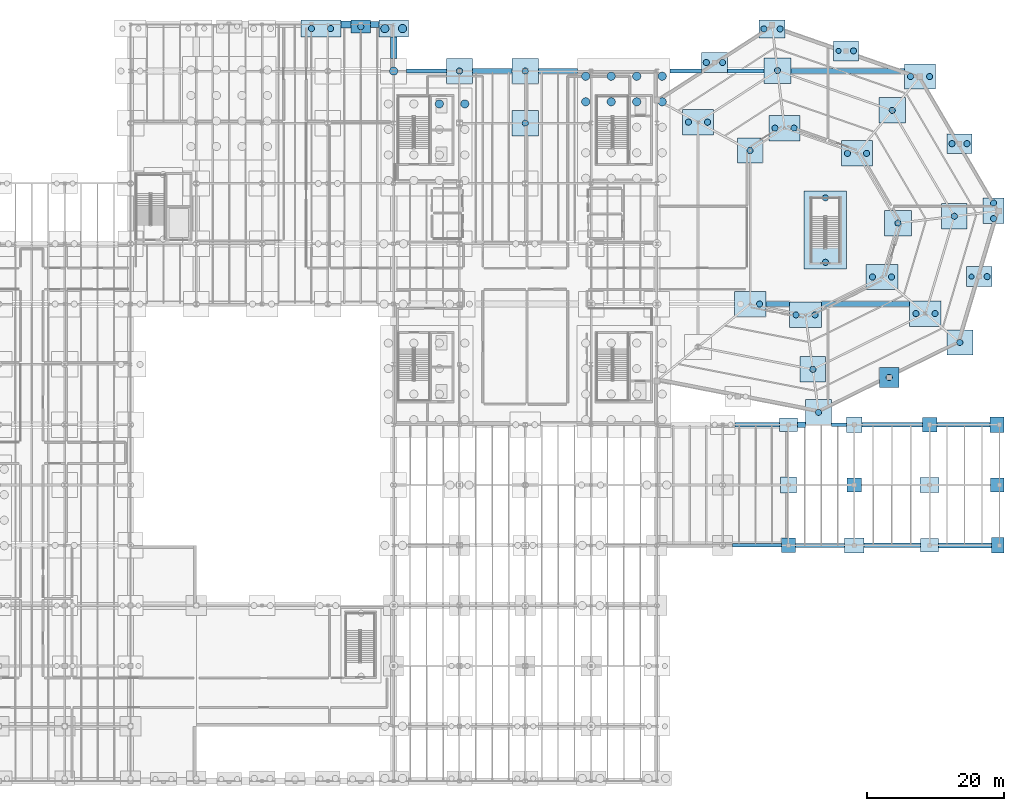
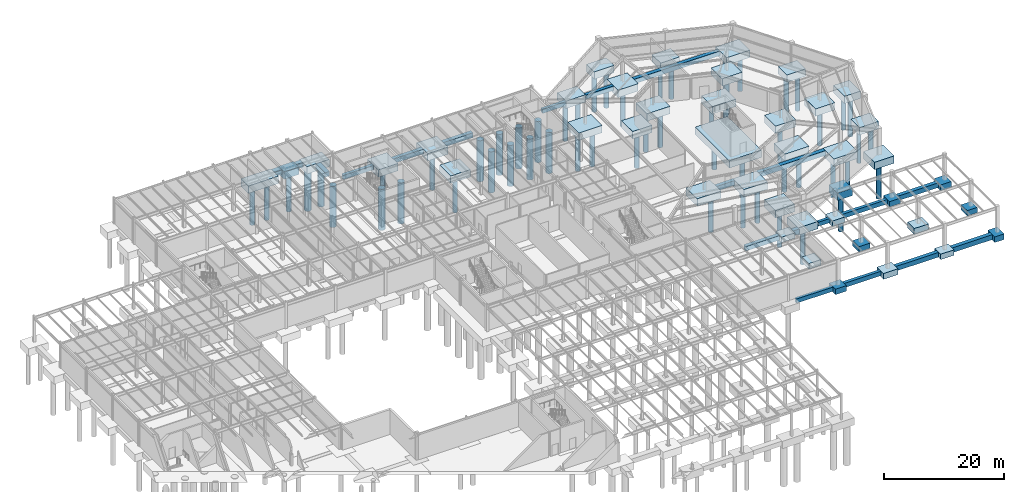
# One storey, part 5 of 48: 62 footings, 57 piles.
"""IFC4 building model written with IfcOpenShell, lengths in metres."""

from ifc_helpers import new_model, si_unit, direction, frame, origin, origin_2d, place, context, subcontext, project, spatial, rectangle, circle, extrude, material, material_profile, profile_set, type_object, element, save


model = new_model("IFC4")

# Units and contexts
model_context = context("Model", 3, precision=1e-05, world=origin(), true_north=direction((0.0, 1.0)))
body_context = subcontext(model_context, "Body", "Model", "MODEL_VIEW")
ifc_project = project(units=[si_unit("LENGTHUNIT", "METRE"), si_unit("AREAUNIT", "SQUARE_METRE"), si_unit("VOLUMEUNIT", "CUBIC_METRE"), si_unit("PLANEANGLEUNIT", "RADIAN"), si_unit("MASSUNIT", "GRAM", prefix="KILO")], contexts=[model_context])

# Site, building, storey
site_placement = place(None, origin())
site = spatial("IfcSite", under=ifc_project, at=site_placement, CompositionType="ELEMENT")
building_placement = place(site_placement, origin())
building = spatial("IfcBuilding", under=site, at=building_placement, Name="Sarnbrook Museum", CompositionType="ELEMENT")
storey_placement = place(building_placement, frame((0.0, 0.0, -5.39990234375)))
storey = spatial("IfcBuildingStorey", under=building, at=storey_placement, Name="B1", CompositionType="ELEMENT", Elevation=-5.39990234375)

# Piles
ifc_material_1 = material(Name="Concrete N50 (AS 3600, f'c = 50 MPa)", Category="concrete")
ifc_material_profile_1 = material_profile(ifc_material_1, circle(Radius=0.375, at=origin_2d()), Name="BORED PILE D750")
ifc_profile_set_1 = profile_set([ifc_material_profile_1], Name="Concrete N50 (AS 3600, f'c = 50 MPa)")
pile_type_1 = type_object("IfcPileType", Name="BoredPile_P1", PredefinedType="BORED", material=ifc_profile_set_1)
for number, where, z_axis, x_axis, name in (
    (1, (145.7099609375, 111.35009765625, -1.400146484375), (0.0, 0.0, -1.0), (1.0, 0.0, 0.0), "Bored Pile P1-0305"),
    (2, (165.110107421875, 78.39990234375, -1.400146484375), (0.0, 0.0, -1.0), (1.0, 0.0, 0.0), "Bored Pile P1-0322"),
):
    element("IfcPile", number, at=place(storey_placement, frame(where, z_axis=z_axis, x_axis=x_axis)), inside=storey, type_object=pile_type_1, Name=name, PredefinedType="BORED", context=body_context, shape_type="SweptSolid", body=[
        extrude(circle(Radius=0.375, at=origin_2d()), origin(), (0.0, 0.0, 1.0), 6.800048828125),
    ])
ifc_material_profile_2 = material_profile(ifc_material_1, circle(Radius=0.449951171875, at=origin_2d()), Name="BORED PILE D900")
ifc_profile_set_2 = profile_set([ifc_material_profile_2], Name="Concrete N50 (AS 3600, f'c = 50 MPa)")
pile_type_2 = type_object("IfcPileType", Name="BoredPile_P2", PredefinedType="BORED", material=ifc_profile_set_2)
for number, where, z_axis, x_axis, name in (
    (3, (68.804931640625, 114.60009765625, -1.400146484375), (0.0, 0.0, -1.0), (1.0, 0.0, 0.0), "Bored Pile P2-0128"),
    (4, (71.594970703125, 114.60009765625, -1.400146484375), (0.0, 0.0, -1.0), (1.0, 0.0, 0.0), "Bored Pile P2-0129"),
    (5, (76.0, 114.889892578125, -1.400146484375), (0.0, 0.0, -1.0), (1.0, 0.0, 0.0), "Bored Pile P2-0143"),
    (6, (90.39990234375, 108.39990234375, -1.400146484375), (0.0, 0.0, -1.0), (1.0, 0.0, 0.0), "Bored Pile P2-0197"),
    (7, (100.0, 100.800048828125, -1.400146484375), (0.0, 0.0, -1.0), (1.0, 0.0, 0.0), "Bored Pile P2-0212"),
    (8, (100.0, 108.39990234375, -1.400146484375), (0.0, 0.0, -1.0), (1.0, 0.0, 0.0), "Bored Pile P2-0213"),
    (9, (123.804931640625, 100.94091796875, -1.400146484375), (0.0, 0.0, -1.0), (1.0, 0.0, 0.0), "Bored Pile P2-0283"),
    (10, (126.594970703125, 100.94091796875, -1.400146484375), (0.0, 0.0, -1.0), (1.0, 0.0, 0.0), "Bored Pile P2-0284"),
    (11, (126.409912109375, 109.64990234375, -1.400146484375), (0.0, 0.0, -1.0), (1.0, 0.0, 0.0), "Bored Pile P2-0285"),
    (12, (128.7900390625, 109.64990234375, -1.400146484375), (0.0, 0.0, -1.0), (1.0, 0.0, 0.0), "Bored Pile P2-0286"),
    (13, (134.195068359375, 74.405029296875, -1.400146484375), (0.0, 0.0, -1.0), (1.0, 0.0, 0.0), "Bored Pile P2-0294"),
    (14, (132.800048828125, 96.81201171875, -1.400146484375), (0.0, 0.0, -1.0), (1.0, 0.0, 0.0), "Bored Pile P2-0295"),
    (15, (134.81005859375, 114.550048828125, -1.400146484375), (0.0, 0.0, -1.0), (1.0, 0.0, 0.0), "Bored Pile P2-0296"),
    (16, (137.18994140625, 114.550048828125, -1.400146484375), (0.0, 0.0, -1.0), (1.0, 0.0, 0.0), "Bored Pile P2-0297"),
    (17, (136.803955078125, 108.468994140625, -1.400146484375), (0.0, 0.0, -1.0), (1.0, 0.0, 0.0), "Bored Pile P2-0298"),
    (18, (136.427001953125, 100.071044921875, -1.400146484375), (0.0, 0.0, -1.0), (1.0, 0.0, 0.0), "Bored Pile P2-0299"),
    (19, (139.217041015625, 100.071044921875, -1.400146484375), (0.0, 0.0, -1.0), (1.0, 0.0, 0.0), "Bored Pile P2-0300"),
    (20, (139.491943359375, 72.8291015625, -1.400146484375), (0.0, 0.0, -1.0), (1.0, 0.0, 0.0), "Bored Pile P2-0301"),
    (21, (142.281982421875, 72.8291015625, -1.400146484375), (0.0, 0.0, -1.0), (1.0, 0.0, 0.0), "Bored Pile P2-0302"),
    (22, (141.9560546875, 64.876953125, -1.400146484375), (0.0, 0.0, -1.0), (1.0, 0.0, 0.0), "Bored Pile P2-0303"),
    (23, (142.800048828125, 58.60009765625, -1.400146484375), (0.0, 0.0, -1.0), (1.0, 0.0, 0.0), "Bored Pile P2-0304"),
    (24, (147.889892578125, 111.35009765625, -1.400146484375), (0.0, 0.0, -1.0), (1.0, 0.0, 0.0), "Bored Pile P2-0306"),
    (25, (147.010986328125, 96.39599609375, -1.400146484375), (0.0, 0.0, -1.0), (1.0, 0.0, 0.0), "Bored Pile P2-0307"),
    (26, (149.801025390625, 96.39599609375, -1.400146484375), (0.0, 0.0, -1.0), (1.0, 0.0, 0.0), "Bored Pile P2-0308"),
    (27, (150.655029296875, 78.35595703125, -1.400146484375), (0.0, 0.0, -1.0), (1.0, 0.0, 0.0), "Bored Pile P2-0309"),
    (28, (153.445068359375, 78.35595703125, -1.400146484375), (0.0, 0.0, -1.0), (1.0, 0.0, 0.0), "Bored Pile P2-0310"),
    (29, (153.10009765625, 63.699951171875, -1.400146484375), (0.0, 0.0, -1.0), (1.0, 0.0, 0.0), "Bored Pile P2-0311"),
    (30, (153.5439453125, 102.656982421875, -1.400146484375), (0.0, 0.0, -1.0), (1.0, 0.0, 0.0), "Bored Pile P2-0312"),
    (31, (154.382080078125, 86.2099609375, -1.400146484375), (0.0, 0.0, -1.0), (1.0, 0.0, 0.0), "Bored Pile P2-0313"),
    (32, (156.205078125, 107.60009765625, -1.400146484375), (0.0, 0.0, -1.0), (1.0, 0.0, 0.0), "Bored Pile P2-0314"),
    (33, (158.9951171875, 107.60009765625, -1.400146484375), (0.0, 0.0, -1.0), (1.0, 0.0, 0.0), "Bored Pile P2-0315"),
    (34, (156.998046875, 73.01611328125, -1.400146484375), (0.0, 0.0, -1.0), (1.0, 0.0, 0.0), "Bored Pile P2-0316"),
    (35, (159.7880859375, 73.01611328125, -1.400146484375), (0.0, 0.0, -1.0), (1.0, 0.0, 0.0), "Bored Pile P2-0317"),
    (36, (162.60693359375, 87.2099609375, -1.400146484375), (0.0, 0.0, -1.0), (1.0, 0.0, 0.0), "Bored Pile P2-0318"),
    (37, (163.39990234375, 68.800048828125, -1.400146484375), (0.0, 0.0, -1.0), (1.0, 0.0, 0.0), "Bored Pile P2-0319"),
    (38, (162.260009765625, 97.800048828125, -1.400146484375), (0.0, 0.0, -1.0), (1.0, 0.0, 0.0), "Bored Pile P2-0320"),
    (39, (164.43994140625, 97.800048828125, -1.400146484375), (0.0, 0.0, -1.0), (1.0, 0.0, 0.0), "Bored Pile P2-0321"),
    (40, (167.389892578125, 78.39990234375, -1.400146484375), (0.0, 0.0, -1.0), (1.0, 0.0, 0.0), "Bored Pile P2-0323"),
    (41, (168.324951171875, 86.860107421875, -1.400146484375), (0.0, 0.0, -1.0), (1.0, 0.0, 0.0), "Bored Pile P2-0324"),
    (42, (168.324951171875, 89.139892578125, -1.400146484375), (0.0, 0.0, -1.0), (1.0, 0.0, 0.0), "Bored Pile P2-0325"),
    (43, (143.800048828125, 80.5, -1.400146484375), (0.0, 0.0, -1.0), (1.0, 0.0, 0.0), "Bored Pile P2-0328"),
    (44, (143.800048828125, 89.89990234375, -1.400146484375), (0.0, 0.0, -1.0), (1.0, 0.0, 0.0), "Bored Pile P2-0329"),
):
    element("IfcPile", number, at=place(storey_placement, frame(where, z_axis=z_axis, x_axis=x_axis)), inside=storey, type_object=pile_type_2, Name=name, PredefinedType="BORED", context=body_context, shape_type="SweptSolid", body=[
        extrude(circle(Radius=0.449951171875, at=origin_2d()), origin(), (0.0, 0.0, 1.0), 7.60009765625),
    ])
ifc_material_profile_3 = material_profile(ifc_material_1, circle(Radius=0.60009765625, at=origin_2d()), Name="BORED PILE D1200")
ifc_profile_set_3 = profile_set([ifc_material_profile_3], Name="Concrete N50 (AS 3600, f'c = 50 MPa)")
pile_type_3 = type_object("IfcPileType", Name="BoredPile_P3", PredefinedType="BORED", material=ifc_profile_set_3)
for number, where, z_axis, x_axis, name in (
    (45, (87.4599609375, 103.60498046875, -1.400146484375), (0.0, 0.0, -1.0), (1.0, 0.0, 0.0), "Bored Pile P3-0176"),
    (46, (91.179931640625, 103.60498046875, -1.400146484375), (0.0, 0.0, -1.0), (1.0, 0.0, 0.0), "Bored Pile P3-0180"),
    (47, (80.800048828125, 108.39990234375, -1.400146484375), (0.0, 0.0, -1.0), (1.0, 0.0, 0.0), "Bored Pile P3-0181"),
    (48, (79.510009765625, 114.60009765625, -1.400146484375), (0.0, 0.0, -1.0), (1.0, 0.0, 0.0), "Bored Pile P3-0182"),
    (49, (82.090087890625, 114.60009765625, -1.400146484375), (0.0, 0.0, -1.0), (1.0, 0.0, 0.0), "Bored Pile P3-0183"),
    (50, (108.820068359375, 103.919921875, -1.400146484375), (0.0, 0.0, -1.0), (1.0, 0.0, 0.0), "Bored Pile P3-0245"),
    (51, (108.820068359375, 107.639892578125, -1.400146484375), (0.0, 0.0, -1.0), (1.0, 0.0, 0.0), "Bored Pile P3-0246"),
    (52, (112.5400390625, 103.919921875, -1.400146484375), (0.0, 0.0, -1.0), (1.0, 0.0, 0.0), "Bored Pile P3-0250"),
    (53, (112.5400390625, 107.639892578125, -1.400146484375), (0.0, 0.0, -1.0), (1.0, 0.0, 0.0), "Bored Pile P3-0251"),
    (54, (116.260009765625, 103.919921875, -1.400146484375), (0.0, 0.0, -1.0), (1.0, 0.0, 0.0), "Bored Pile P3-0255"),
    (55, (116.260009765625, 107.639892578125, -1.400146484375), (0.0, 0.0, -1.0), (1.0, 0.0, 0.0), "Bored Pile P3-0256"),
    (56, (119.97998046875, 103.919921875, -1.400146484375), (0.0, 0.0, -1.0), (1.0, 0.0, 0.0), "Bored Pile P3-0260"),
    (57, (119.97998046875, 107.639892578125, -1.400146484375), (0.0, 0.0, -1.0), (1.0, 0.0, 0.0), "Bored Pile P3-0261"),
):
    element("IfcPile", number, at=place(storey_placement, frame(where, z_axis=z_axis, x_axis=x_axis)), inside=storey, type_object=pile_type_3, Name=name, PredefinedType="BORED", context=body_context, shape_type="SweptSolid", body=[
        extrude(circle(Radius=0.60009765625, at=origin_2d()), origin(), (0.0, 0.0, 1.0), 8.39990234375),
    ])

# Footings
ifc_material_2 = material(Name="Concrete N40 (AS 3600, f'c = 40 MPa)", Category="concrete")
footing_type_1 = type_object("IfcFootingType", Name="GroundBeam_GB1", PredefinedType="FOOTING_BEAM", material=ifc_material_2)
footing_1_placement = place(storey_placement, frame((133.800048828125, 39.199951171875, -0.85009765625), z_axis=(0.0, 0.0, 1.0), x_axis=(1.0, 0.0, 0.0)))
element("IfcFooting", 58, at=footing_1_placement, inside=storey, type_object=footing_type_1, Name="Ground Tie Beam GB-009", PredefinedType="FOOTING_BEAM", context=body_context, shape_type="SweptSolid", body=[
    extrude(rectangle(XDim=7.10009765625, YDim=0.550048828125, at=origin_2d()), origin(), (0.0, 0.0, 1.0), 0.85009765625),
])
footing_2_placement = place(storey_placement, frame((145.77490234375, 56.800048828125, -0.85009765625), z_axis=(0.0, 0.0, 1.0), x_axis=(1.0, 0.0, 0.0)))
element("IfcFooting", 59, at=footing_2_placement, inside=storey, type_object=footing_type_1, Name="Ground Tie Beam GB-021", PredefinedType="FOOTING_BEAM", context=body_context, shape_type="SweptSolid", body=[
    extrude(rectangle(XDim=2.14990234375, YDim=0.550048828125, at=origin_2d()), origin(), (0.0, 0.0, 1.0), 0.85009765625),
])
footing_3_placement = place(storey_placement, frame((123.425048828125, 108.39990234375, -0.85009765625), z_axis=(0.0, 0.0, 1.0), x_axis=(1.0, 0.0, 0.0)))
element("IfcFooting", 60, at=footing_3_placement, inside=storey, type_object=footing_type_1, Name="Ground Tie Beam GB-053", PredefinedType="FOOTING_BEAM", context=body_context, shape_type="SweptSolid", body=[
    extrude(rectangle(XDim=4.550048828125, YDim=0.550048828125, at=origin_2d()), origin(), (0.0, 0.0, 1.0), 0.85009765625),
])
footing_type_2 = type_object("IfcFootingType", Name="GroundBeam_GB2", PredefinedType="FOOTING_BEAM", material=ifc_material_2)
footing_4_placement = place(storey_placement, frame((143.02490234375, 39.199951171875, -0.900146484375), z_axis=(0.0, 0.0, 1.0), x_axis=(1.0, 0.0, 0.0)))
element("IfcFooting", 61, at=footing_4_placement, inside=storey, type_object=footing_type_2, Name="Ground Tie Beam GB-010", PredefinedType="FOOTING_BEAM", context=body_context, shape_type="SweptSolid", body=[
    extrude(rectangle(XDim=7.14990234375, YDim=0.60009765625, at=origin_2d()), origin(), (0.0, 0.0, 1.0), 0.89990234375),
])
footing_5_placement = place(storey_placement, frame((153.550048828125, 56.800048828125, -0.900146484375), z_axis=(0.0, 0.0, 1.0), x_axis=(1.0, 0.0, 0.0)))
element("IfcFooting", 62, at=footing_5_placement, inside=storey, type_object=footing_type_2, Name="Ground Tie Beam GB-022", PredefinedType="FOOTING_BEAM", context=body_context, shape_type="SweptSolid", body=[
    extrude(rectangle(XDim=8.800048828125, YDim=0.60009765625, at=origin_2d()), origin(), (0.0, 0.0, 1.0), 0.89990234375),
])
footing_6_placement = place(storey_placement, frame((85.60009765625, 108.39990234375, -0.900146484375), z_axis=(0.0, 0.0, 1.0), x_axis=(1.0, 0.0, 0.0)))
element("IfcFooting", 63, at=footing_6_placement, inside=storey, type_object=footing_type_2, Name="Ground Tie Beam GB-050", PredefinedType="FOOTING_BEAM", context=body_context, shape_type="SweptSolid", body=[
    extrude(rectangle(XDim=5.800048828125, YDim=0.60009765625, at=origin_2d()), origin(), (0.0, 0.0, 1.0), 0.89990234375),
])
footing_7_placement = place(storey_placement, frame((132.177001953125, 108.39990234375, -0.900146484375), z_axis=(0.0, 0.0, 1.0), x_axis=(1.0, 0.0, 0.0)))
element("IfcFooting", 64, at=footing_7_placement, inside=storey, type_object=footing_type_2, Name="Ground Tie Beam GB-054", PredefinedType="FOOTING_BEAM", context=body_context, shape_type="SweptSolid", body=[
    extrude(rectangle(XDim=5.35400390625, YDim=0.60009765625, at=origin_2d()), origin(), (0.0, 0.0, 1.0), 0.89990234375),
])
footing_type_3 = type_object("IfcFootingType", Name="GroundBeam_GB3", PredefinedType="FOOTING_BEAM", material=ifc_material_2)
footing_8_placement = place(storey_placement, frame((153.550048828125, 39.199951171875, -0.9501953125), z_axis=(0.0, 0.0, 1.0), x_axis=(1.0, 0.0, 0.0)))
element("IfcFooting", 65, at=footing_8_placement, inside=storey, type_object=footing_type_3, Name="Ground Tie Beam GB-011", PredefinedType="FOOTING_BEAM", context=body_context, shape_type="SweptSolid", body=[
    extrude(rectangle(XDim=8.300048828125, YDim=0.699951171875, at=origin_2d()), origin(), (0.0, 0.0, 1.0), 0.949951171875),
])
footing_9_placement = place(storey_placement, frame((133.85009765625, 56.800048828125, -0.9501953125), z_axis=(0.0, 0.0, 1.0), x_axis=(1.0, 0.0, 0.0)))
element("IfcFooting", 66, at=footing_9_placement, inside=storey, type_object=footing_type_3, Name="Ground Tie Beam GB-019", PredefinedType="FOOTING_BEAM", context=body_context, shape_type="SweptSolid", body=[
    extrude(rectangle(XDim=6.5, YDim=0.699951171875, at=origin_2d()), origin(), (0.0, 0.0, 1.0), 0.949951171875),
])
footing_10_placement = place(storey_placement, frame((163.925048828125, 56.800048828125, -0.9501953125), z_axis=(0.0, 0.0, 1.0), x_axis=(1.0, 0.0, 0.0)))
element("IfcFooting", 67, at=footing_10_placement, inside=storey, type_object=footing_type_3, Name="Ground Tie Beam GB-023", PredefinedType="FOOTING_BEAM", context=body_context, shape_type="SweptSolid", body=[
    extrude(rectangle(XDim=7.75, YDim=0.699951171875, at=origin_2d()), origin(), (0.0, 0.0, 1.0), 0.949951171875),
])
footing_11_placement = place(storey_placement, frame((136.843505859375, 74.39990234375, -0.9501953125), z_axis=(0.0, 0.0, 1.0), x_axis=(1.0, 0.0, 0.0)))
element("IfcFooting", 68, at=footing_11_placement, inside=storey, type_object=footing_type_3, Name="Ground Tie Beam GB-035", PredefinedType="FOOTING_BEAM", context=body_context, shape_type="SweptSolid", body=[
    extrude(rectangle(XDim=3.487060546875, YDim=0.699951171875, at=origin_2d()), origin(), (0.0, 0.0, 1.0), 0.949951171875),
])
footing_12_placement = place(storey_placement, frame((95.175048828125, 108.39990234375, -0.9501953125), z_axis=(0.0, 0.0, 1.0), x_axis=(1.0, 0.0, 0.0)))
element("IfcFooting", 69, at=footing_12_placement, inside=storey, type_object=footing_type_3, Name="Ground Tie Beam GB-051", PredefinedType="FOOTING_BEAM", context=body_context, shape_type="SweptSolid", body=[
    extrude(rectangle(XDim=5.75, YDim=0.699951171875, at=origin_2d()), origin(), (0.0, 0.0, 1.0), 0.949951171875),
])
footing_13_placement = place(storey_placement, frame((147.052001953125, 108.39990234375, -0.9501953125), z_axis=(0.0, 0.0, 1.0), x_axis=(1.0, 0.0, 0.0)))
element("IfcFooting", 70, at=footing_13_placement, inside=storey, type_object=footing_type_3, Name="Ground Tie Beam GB-055", PredefinedType="FOOTING_BEAM", context=body_context, shape_type="SweptSolid", body=[
    extrude(rectangle(XDim=16.595947265625, YDim=0.699951171875, at=origin_2d()), origin(), (0.0, 0.0, 1.0), 0.949951171875),
])
footing_type_4 = type_object("IfcFootingType", Name="GroundBeam_GB4", PredefinedType="FOOTING_BEAM", material=ifc_material_2)
footing_14_placement = place(storey_placement, frame((164.175048828125, 39.199951171875, -1.0), z_axis=(0.0, 0.0, 1.0), x_axis=(1.0, 0.0, 0.0)))
element("IfcFooting", 71, at=footing_14_placement, inside=storey, type_object=footing_type_4, Name="Ground Tie Beam GB-012", PredefinedType="FOOTING_BEAM", context=body_context, shape_type="SweptSolid", body=[
    extrude(rectangle(XDim=7.75, YDim=0.75, at=origin_2d()), origin(), (0.0, 0.0, 1.0), 1.0),
])
footing_15_placement = place(storey_placement, frame((140.300048828125, 56.800048828125, -1.0), z_axis=(0.0, 0.0, 1.0), x_axis=(1.0, 0.0, 0.0)))
element("IfcFooting", 72, at=footing_15_placement, inside=storey, type_object=footing_type_4, Name="Ground Tie Beam GB-020", PredefinedType="FOOTING_BEAM", context=body_context, shape_type="SweptSolid", body=[
    extrude(rectangle(XDim=1.199951171875, YDim=0.75, at=origin_2d()), origin(), (0.0, 0.0, 1.0), 1.0),
])
footing_16_placement = place(storey_placement, frame((149.639892578125, 74.39990234375, -1.0), z_axis=(0.0, 0.0, 1.0), x_axis=(1.0, 0.0, 0.0)))
element("IfcFooting", 73, at=footing_16_placement, inside=storey, type_object=footing_type_4, Name="Ground Tie Beam GB-036", PredefinedType="FOOTING_BEAM", context=body_context, shape_type="SweptSolid", body=[
    extrude(rectangle(XDim=12.906005859375, YDim=0.75, at=origin_2d()), origin(), (0.0, 0.0, 1.0), 1.0),
])
footing_17_placement = place(storey_placement, frame((104.800048828125, 108.39990234375, -1.0), z_axis=(0.0, 0.0, 1.0), x_axis=(1.0, 0.0, 0.0)))
element("IfcFooting", 74, at=footing_17_placement, inside=storey, type_object=footing_type_4, Name="Ground Tie Beam GB-052", PredefinedType="FOOTING_BEAM", context=body_context, shape_type="SweptSolid", body=[
    extrude(rectangle(XDim=5.699951171875, YDim=0.75, at=origin_2d()), origin(), (0.0, 0.0, 1.0), 1.0),
])
footing_type_5 = type_object("IfcFootingType", Name="PadFooting_PF1", PredefinedType="PAD_FOOTING", material=ifc_material_2)
for number, where, z_axis, x_axis, name in (
    (75, (138.39990234375, 39.199951171875, -1.10009765625), (0.0, 0.0, 1.0), (1.0, 0.0, 0.0), "Pad Footing G-15-E"),
    (76, (148.0, 48.0, -1.10009765625), (0.0, 0.0, 1.0), (1.0, 0.0, 0.0), "Pad Footing G-16-F"),
    (77, (159.0, 56.800048828125, -1.10009765625), (0.0, 0.0, 1.0), (1.0, 0.0, 0.0), "Pad Footing G-17-G"),
):
    element("IfcFooting", number, at=place(storey_placement, frame(where, z_axis=z_axis, x_axis=x_axis)), inside=storey, type_object=footing_type_5, Name=name, PredefinedType="PAD_FOOTING", context=body_context, shape_type="SweptSolid", body=[
        extrude(rectangle(XDim=2.10009765625, YDim=2.10009765625, at=origin_2d()), origin(), (0.0, 0.0, 1.0), 1.10009765625),
    ])
footing_type_6 = type_object("IfcFootingType", Name="PadFooting_PF2", PredefinedType="PAD_FOOTING", material=ifc_material_2)
for number, where, z_axis, x_axis, name in (
    (78, (138.39990234375, 48.0, -1.150146484375), (0.0, 0.0, 1.0), (1.0, 0.0, 0.0), "Pad Footing G-15-F"),
    (79, (148.0, 56.800048828125, -1.150146484375), (0.0, 0.0, 1.0), (1.0, 0.0, 0.0), "Pad Footing G-16-G"),
):
    element("IfcFooting", number, at=place(storey_placement, frame(where, z_axis=z_axis, x_axis=x_axis)), inside=storey, type_object=footing_type_6, Name=name, PredefinedType="PAD_FOOTING", context=body_context, shape_type="SweptSolid", body=[
        extrude(rectangle(XDim=2.300048828125, YDim=2.300048828125, at=origin_2d()), origin(), (0.0, 0.0, 1.0), 1.14990234375),
    ])
footing_18_placement = place(storey_placement, frame((168.949951171875, 39.199951171875, -1.150146484375), z_axis=(0.0, 0.0, 1.0), x_axis=(1.0, 0.0, 0.0)))
element("IfcFooting", 80, at=footing_18_placement, inside=storey, type_object=footing_type_6, Name="Pad Footing G-18-E", PredefinedType="PAD_FOOTING", context=body_context, shape_type="SweptSolid", body=[
    extrude(rectangle(XDim=1.800048828125, YDim=2.300048828125, at=origin_2d()), origin(), (0.0, 0.0, 1.0), 1.14990234375),
])
footing_type_7 = type_object("IfcFootingType", Name="PadFooting_PF3", PredefinedType="PAD_FOOTING", material=ifc_material_2)
for number, where, z_axis, x_axis, name in (
    (81, (138.39990234375, 56.800048828125, -1.10009765625), (0.0, 0.0, 1.0), (1.0, 0.0, 0.0), "Pad Footing G-15-G"),
    (82, (159.0, 39.199951171875, -1.10009765625), (0.0, 0.0, 1.0), (1.0, 0.0, 0.0), "Pad Footing G-17-E"),
):
    element("IfcFooting", number, at=place(storey_placement, frame(where, z_axis=z_axis, x_axis=x_axis)), inside=storey, type_object=footing_type_7, Name=name, PredefinedType="PAD_FOOTING", context=body_context, shape_type="SweptSolid", body=[
        extrude(rectangle(XDim=2.60009765625, YDim=2.0, at=origin_2d()), origin(), (0.0, 0.0, 1.0), 1.10009765625),
    ])
footing_19_placement = place(storey_placement, frame((168.875, 48.0, -1.10009765625), z_axis=(0.0, 0.0, 1.0), x_axis=(1.0, 0.0, 0.0)))
element("IfcFooting", 83, at=footing_19_placement, inside=storey, type_object=footing_type_7, Name="Pad Footing G-18-F", PredefinedType="PAD_FOOTING", context=body_context, shape_type="SweptSolid", body=[
    extrude(rectangle(XDim=1.949951171875, YDim=2.0, at=origin_2d()), origin(), (0.0, 0.0, 1.0), 1.10009765625),
])
footing_type_8 = type_object("IfcFootingType", Name="PadFooting_PF4", PredefinedType="PAD_FOOTING", material=ifc_material_2)
for number, where, z_axis, x_axis, name in (
    (84, (148.0, 39.199951171875, -1.2001953125), (0.0, 0.0, 1.0), (1.0, 0.0, 0.0), "Pad Footing G-16-E"),
    (85, (159.0, 48.0, -1.2001953125), (0.0, 0.0, 1.0), (1.0, 0.0, 0.0), "Pad Footing G-17-F"),
):
    element("IfcFooting", number, at=place(storey_placement, frame(where, z_axis=z_axis, x_axis=x_axis)), inside=storey, type_object=footing_type_8, Name=name, PredefinedType="PAD_FOOTING", context=body_context, shape_type="SweptSolid", body=[
        extrude(rectangle(XDim=2.800048828125, YDim=2.199951171875, at=origin_2d()), origin(), (0.0, 0.0, 1.0), 1.199951171875),
    ])
footing_20_placement = place(storey_placement, frame((168.824951171875, 56.800048828125, -1.2001953125), z_axis=(0.0, 0.0, 1.0), x_axis=(1.0, 0.0, 0.0)))
element("IfcFooting", 86, at=footing_20_placement, inside=storey, type_object=footing_type_8, Name="Pad Footing G-18-G", PredefinedType="PAD_FOOTING", context=body_context, shape_type="SweptSolid", body=[
    extrude(rectangle(XDim=2.050048828125, YDim=2.199951171875, at=origin_2d()), origin(), (0.0, 0.0, 1.0), 1.199951171875),
])
footing_type_9 = type_object("IfcFootingType", Name="PileCap_PC07", PredefinedType="PILE_CAP", material=ifc_material_2)
for number, where, z_axis, x_axis, name in (
    (87, (90.39990234375, 108.39990234375, -1.5), (0.0, 0.0, 1.0), (1.0, 0.0, 0.0), "Pile Cap PC-092"),
    (88, (100.0, 100.800048828125, -1.5), (0.0, 0.0, 1.0), (1.0, 0.0, 0.0), "Pile Cap PC-102"),
    (89, (142.800048828125, 58.60009765625, -1.5), (0.0, 0.0, 1.0), (1.0, 0.0, 0.0), "Pile Cap PC-141"),
    (90, (153.5439453125, 102.656982421875, -1.5), (0.0, 0.0, 1.0), (1.0, 0.0, 0.0), "Pile Cap PC-146"),
    (91, (163.39990234375, 68.800048828125, -1.5), (0.0, 0.0, 1.0), (1.0, 0.0, 0.0), "Pile Cap PC-151"),
):
    element("IfcFooting", number, at=place(storey_placement, frame(where, z_axis=z_axis, x_axis=x_axis)), inside=storey, type_object=footing_type_9, Name=name, PredefinedType="PILE_CAP", context=body_context, shape_type="SweptSolid", body=[
        extrude(rectangle(XDim=3.800048828125, YDim=3.699951171875, at=origin_2d()), origin(), (0.0, 0.0, 1.0), 1.5),
    ])
footing_type_10 = type_object("IfcFootingType", Name="PileCap_PC08", PredefinedType="PILE_CAP", material=ifc_material_2)
for number, where, z_axis, x_axis, name in (
    (92, (100.0, 108.39990234375, -1.5), (0.0, 0.0, 1.0), (1.0, 0.0, 0.0), "Pile Cap PC-103"),
    (93, (136.803955078125, 108.468994140625, -1.5), (0.0, 0.0, 1.0), (1.0, 0.0, 0.0), "Pile Cap PC-137"),
    (94, (154.382080078125, 86.2099609375, -1.5), (0.0, 0.0, 1.0), (1.0, 0.0, 0.0), "Pile Cap PC-147"),
):
    element("IfcFooting", number, at=place(storey_placement, frame(where, z_axis=z_axis, x_axis=x_axis)), inside=storey, type_object=footing_type_10, Name=name, PredefinedType="PILE_CAP", context=body_context, shape_type="SweptSolid", body=[
        extrude(rectangle(XDim=3.89990234375, YDim=3.699951171875, at=origin_2d()), origin(), (0.0, 0.0, 1.0), 1.5),
    ])
footing_type_11 = type_object("IfcFootingType", Name="PileCap_PC09", PredefinedType="PILE_CAP", material=ifc_material_2)
for number, where, z_axis, x_axis, name in (
    (95, (125.199951171875, 100.94091796875, -1.5), (0.0, 0.0, 1.0), (1.0, 0.0, 0.0), "Pile Cap PC-128"),
    (96, (137.822021484375, 100.071044921875, -1.5), (0.0, 0.0, 1.0), (1.0, 0.0, 0.0), "Pile Cap PC-138"),
    (97, (148.406005859375, 96.39599609375, -1.5), (0.0, 0.0, 1.0), (1.0, 0.0, 0.0), "Pile Cap PC-143"),
    (98, (157.60009765625, 107.60009765625, -1.5), (0.0, 0.0, 1.0), (1.0, 0.0, 0.0), "Pile Cap PC-148"),
):
    element("IfcFooting", number, at=place(storey_placement, frame(where, z_axis=z_axis, x_axis=x_axis)), inside=storey, type_object=footing_type_11, Name=name, PredefinedType="PILE_CAP", context=body_context, shape_type="SweptSolid", body=[
        extrude(rectangle(XDim=4.5, YDim=3.699951171875, at=origin_2d()), origin(), (0.0, 0.0, 1.0), 1.5),
    ])
footing_type_12 = type_object("IfcFootingType", Name="PileCap_PC10", PredefinedType="PILE_CAP", material=ifc_material_2)
for number, where, z_axis, x_axis, name in (
    (99, (132.800048828125, 74.405029296875, -1.5), (0.0, 0.0, 1.0), (1.0, 0.0, 0.0), "Pile Cap PC-134"),
    (100, (140.886962890625, 72.8291015625, -1.5), (0.0, 0.0, 1.0), (1.0, 0.0, 0.0), "Pile Cap PC-139"),
    (101, (152.050048828125, 78.35595703125, -1.5), (0.0, 0.0, 1.0), (1.0, 0.0, 0.0), "Pile Cap PC-144"),
    (102, (158.39306640625, 73.01611328125, -1.5), (0.0, 0.0, 1.0), (1.0, 0.0, 0.0), "Pile Cap PC-149"),
):
    element("IfcFooting", number, at=place(storey_placement, frame(where, z_axis=z_axis, x_axis=x_axis)), inside=storey, type_object=footing_type_12, Name=name, PredefinedType="PILE_CAP", context=body_context, shape_type="SweptSolid", body=[
        extrude(rectangle(XDim=4.60009765625, YDim=3.699951171875, at=origin_2d()), origin(), (0.0, 0.0, 1.0), 1.5),
    ])
footing_type_13 = type_object("IfcFootingType", Name="PileCap_PC13", PredefinedType="PILE_CAP", material=ifc_material_2)
for number, where, z_axis, x_axis, name in (
    (103, (146.800048828125, 111.35009765625, -1.5), (0.0, 0.0, 1.0), (1.0, 0.0, 0.0), "Pile Cap PC-142"),
    (104, (163.35009765625, 97.800048828125, -1.5), (0.0, 0.0, 1.0), (1.0, 0.0, 0.0), "Pile Cap PC-152"),
):
    element("IfcFooting", number, at=place(storey_placement, frame(where, z_axis=z_axis, x_axis=x_axis)), inside=storey, type_object=footing_type_13, Name=name, PredefinedType="PILE_CAP", context=body_context, shape_type="SweptSolid", body=[
        extrude(rectangle(XDim=3.60009765625, YDim=2.89990234375, at=origin_2d()), origin(), (0.0, 0.0, 1.0), 1.5),
    ])
footing_type_14 = type_object("IfcFootingType", Name="PileCap_PC14", PredefinedType="PILE_CAP", material=ifc_material_2)
footing_21_placement = place(storey_placement, frame((166.25, 78.39990234375, -1.5), z_axis=(0.0, 0.0, 1.0), x_axis=(1.0, 0.0, 0.0)))
element("IfcFooting", 105, at=footing_21_placement, inside=storey, type_object=footing_type_14, Name="Pile Cap PC-153", PredefinedType="PILE_CAP", context=body_context, shape_type="SweptSolid", body=[
    extrude(rectangle(XDim=3.699951171875, YDim=2.89990234375, at=origin_2d()), origin(), (0.0, 0.0, 1.0), 1.5),
])
footing_type_15 = type_object("IfcFootingType", Name="PileCap_PC15", PredefinedType="PILE_CAP", material=ifc_material_2)
footing_22_placement = place(storey_placement, frame((127.60009765625, 109.64990234375, -1.5), z_axis=(0.0, 0.0, 1.0), x_axis=(1.0, 0.0, 0.0)))
element("IfcFooting", 106, at=footing_22_placement, inside=storey, type_object=footing_type_15, Name="Pile Cap PC-129", PredefinedType="PILE_CAP", context=body_context, shape_type="SweptSolid", body=[
    extrude(rectangle(XDim=3.800048828125, YDim=2.89990234375, at=origin_2d()), origin(), (0.0, 0.0, 1.0), 1.5),
])
footing_type_16 = type_object("IfcFootingType", Name="PileCap_PC16", PredefinedType="PILE_CAP", material=ifc_material_2)
for number, where, z_axis, x_axis, name in (
    (107, (132.800048828125, 96.81201171875, -1.5), (0.0, 0.0, 1.0), (1.0, 0.0, 0.0), "Pile Cap PC-135"),
    (108, (141.9560546875, 64.876953125, -1.5), (0.0, 0.0, 1.0), (1.0, 0.0, 0.0), "Pile Cap PC-140"),
    (109, (162.60693359375, 87.2099609375, -1.5), (0.0, 0.0, 1.0), (1.0, 0.0, 0.0), "Pile Cap PC-150"),
):
    element("IfcFooting", number, at=place(storey_placement, frame(where, z_axis=z_axis, x_axis=x_axis)), inside=storey, type_object=footing_type_16, Name=name, PredefinedType="PILE_CAP", context=body_context, shape_type="SweptSolid", body=[
        extrude(rectangle(XDim=3.699951171875, YDim=3.699951171875, at=origin_2d()), origin(), (0.0, 0.0, 1.0), 1.5),
    ])
footing_type_17 = type_object("IfcFootingType", Name="PileCap_PC18", PredefinedType="PILE_CAP", material=ifc_material_2)
footing_23_placement = place(storey_placement, frame((153.10009765625, 63.699951171875, -1.5), z_axis=(0.0, 0.0, 1.0), x_axis=(1.0, 0.0, 0.0)))
element("IfcFooting", 110, at=footing_23_placement, inside=storey, type_object=footing_type_17, Name="Pile Cap PC-145", PredefinedType="PILE_CAP", context=body_context, shape_type="SweptSolid", body=[
    extrude(rectangle(XDim=2.89990234375, YDim=2.89990234375, at=origin_2d()), origin(), (0.0, 0.0, 1.0), 1.5),
])
footing_type_18 = type_object("IfcFootingType", Name="PileCap_PC26", PredefinedType="PILE_CAP", material=ifc_material_2)
footing_24_placement = place(storey_placement, frame((76.0, 114.889892578125, -1.5), z_axis=(0.0, 0.0, 1.0), x_axis=(1.0, 0.0, 0.0)))
element("IfcFooting", 111, at=footing_24_placement, inside=storey, type_object=footing_type_18, Name="Pile Cap PC-076", PredefinedType="PILE_CAP", context=body_context, shape_type="SweptSolid", body=[
    extrude(rectangle(XDim=2.89990234375, YDim=1.919921875, at=origin_2d()), origin(), (0.0, 0.0, 1.0), 1.5),
])
footing_type_19 = type_object("IfcFootingType", Name="PileCap_PC27", PredefinedType="PILE_CAP", material=ifc_material_2)
footing_25_placement = place(storey_placement, frame((70.199951171875, 114.60009765625, -1.5), z_axis=(0.0, 0.0, 1.0), x_axis=(1.0, 0.0, 0.0)))
element("IfcFooting", 112, at=footing_25_placement, inside=storey, type_object=footing_type_19, Name="Pile Cap PC-067", PredefinedType="PILE_CAP", context=body_context, shape_type="SweptSolid", body=[
    extrude(rectangle(XDim=5.800048828125, YDim=2.5, at=origin_2d()), origin(), (0.0, 0.0, 1.0), 1.5),
])
footing_type_20 = type_object("IfcFootingType", Name="PileCap_PC31", PredefinedType="PILE_CAP", material=ifc_material_2)
footing_26_placement = place(storey_placement, frame((80.800048828125, 114.60009765625, -1.5), z_axis=(0.0, 0.0, 1.0), x_axis=(1.0, 0.0, 0.0)))
element("IfcFooting", 113, at=footing_26_placement, inside=storey, type_object=footing_type_20, Name="Pile Cap PC-083", PredefinedType="PILE_CAP", context=body_context, shape_type="SweptSolid", body=[
    extrude(rectangle(XDim=4.300048828125, YDim=2.5, at=origin_2d()), origin(), (0.0, 0.0, 1.0), 1.5),
])
footing_type_21 = type_object("IfcFootingType", Name="PileCap_PC36", PredefinedType="PILE_CAP", material=ifc_material_2)
footing_27_placement = place(storey_placement, frame((136.0, 114.550048828125, -1.5), z_axis=(0.0, 0.0, 1.0), x_axis=(1.0, 0.0, 0.0)))
element("IfcFooting", 114, at=footing_27_placement, inside=storey, type_object=footing_type_21, Name="Pile Cap PC-136", PredefinedType="PILE_CAP", context=body_context, shape_type="SweptSolid", body=[
    extrude(rectangle(XDim=3.800048828125, YDim=2.60009765625, at=origin_2d()), origin(), (0.0, 0.0, 1.0), 1.5),
])
footing_type_22 = type_object("IfcFootingType", Name="PileCap_PC37", PredefinedType="PILE_CAP", material=ifc_material_2)
footing_28_placement = place(storey_placement, frame((168.324951171875, 88.0, -1.5), z_axis=(0.0, 0.0, 1.0), x_axis=(1.0, 0.0, 0.0)))
element("IfcFooting", 115, at=footing_28_placement, inside=storey, type_object=footing_type_22, Name="Pile Cap PC-154", PredefinedType="PILE_CAP", context=body_context, shape_type="SweptSolid", body=[
    extrude(rectangle(XDim=3.050048828125, YDim=3.699951171875, at=origin_2d()), origin(), (0.0, 0.0, 1.0), 1.5),
])
footing_type_23 = type_object("IfcFootingType", Name="PileCap_PC39", PredefinedType="PILE_CAP", material=ifc_material_2)
footing_29_placement = place(storey_placement, frame((143.800048828125, 85.199951171875, -1.5), z_axis=(0.0, 0.0, 1.0), x_axis=(1.0, 0.0, 0.0)))
element("IfcFooting", 116, at=footing_29_placement, inside=storey, type_object=footing_type_23, Name="Pile Cap PC-CORE-C7-1", PredefinedType="PILE_CAP", context=body_context, shape_type="SweptSolid", body=[
    extrude(rectangle(XDim=6.199951171875, YDim=11.39990234375, at=origin_2d()), origin(), (0.0, 0.0, 1.0), 1.5),
])
footing_type_24 = type_object("IfcFootingType", Name="StripFooting_SF1", PredefinedType="STRIP_FOOTING", material=ifc_material_2)
footing_30_placement = place(storey_placement, frame((78.050048828125, 115.199951171875, -0.900146484375), z_axis=(0.0, 0.0, 1.0), x_axis=(1.0, 0.0, 0.0)))
element("IfcFooting", 117, at=footing_30_placement, inside=storey, type_object=footing_type_24, Name="Strip Footing SF-039", PredefinedType="STRIP_FOOTING", context=body_context, shape_type="SweptSolid", body=[
    extrude(rectangle(XDim=1.199951171875, YDim=0.89990234375, at=origin_2d()), origin(), (0.0, 0.0, 1.0), 0.89990234375),
])
footing_31_placement = place(storey_placement, frame((80.800048828125, 111.800048828125, -0.900146484375), z_axis=(0.0, 0.0, 1.0), x_axis=(1.0, 0.0, 0.0)))
element("IfcFooting", 118, at=footing_31_placement, inside=storey, type_object=footing_type_24, Name="Strip Footing SF-079", PredefinedType="STRIP_FOOTING", context=body_context, shape_type="SweptSolid", body=[
    extrude(rectangle(XDim=0.89990234375, YDim=3.10009765625, at=origin_2d()), origin(), (0.0, 0.0, 1.0), 0.89990234375),
])
footing_type_25 = type_object("IfcFootingType", Name="StripFooting_SF2", PredefinedType="STRIP_FOOTING", material=ifc_material_2)
footing_32_placement = place(storey_placement, frame((73.824951171875, 115.199951171875, -0.9501953125), z_axis=(0.0, 0.0, 1.0), x_axis=(1.0, 0.0, 0.0)))
element("IfcFooting", 119, at=footing_32_placement, inside=storey, type_object=footing_type_25, Name="Strip Footing SF-038", PredefinedType="STRIP_FOOTING", context=body_context, shape_type="SweptSolid", body=[
    extrude(rectangle(XDim=1.449951171875, YDim=1.050048828125, at=origin_2d()), origin(), (0.0, 0.0, 1.0), 0.949951171875),
])

save(model, "model.ifc")
